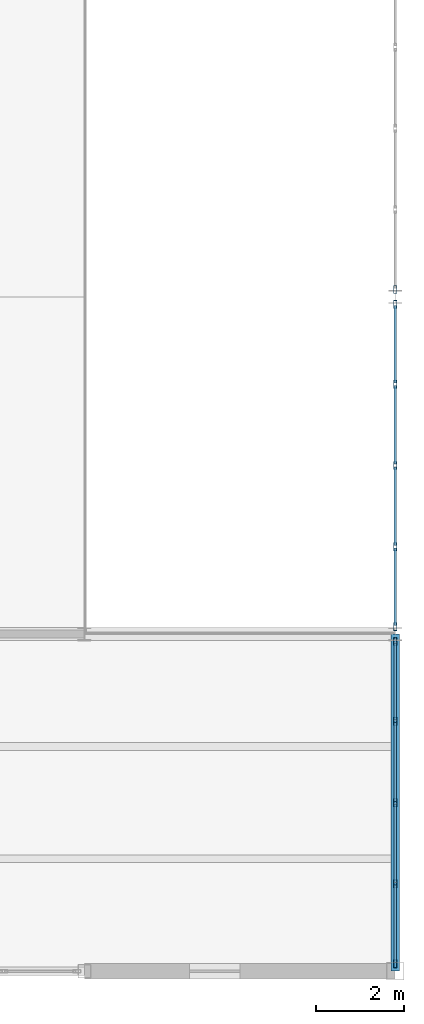
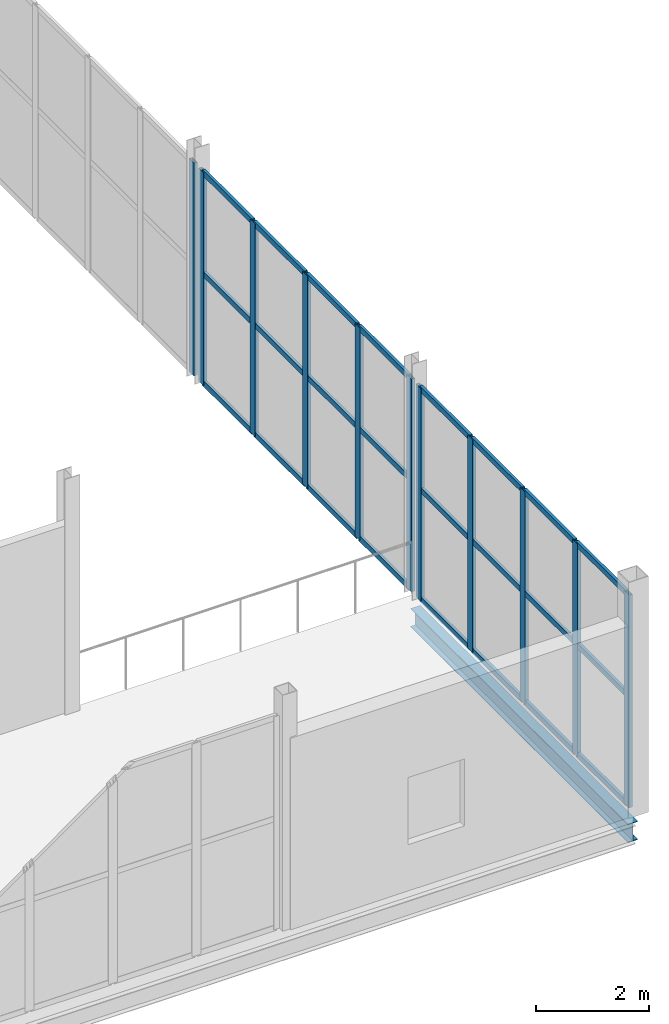
# One storey, part 133 of 218: 35 members, 1 beam, 3 elements without a shape of their own.
"""IFC4 building model written with IfcOpenShell, lengths in metres."""

from ifc_helpers import new_model, si_unit, direction, frame, origin, origin_2d, place, context, subcontext, project, spatial, hollow_rectangle, i_section, extrude, material, material_profile, profile_set, type_object, element, aggregate, save


model = new_model("IFC4")

# Units and contexts
model_context = context("Model", 3, precision=1e-05, world=origin(), true_north=direction((0.0, 1.0)))
body_context = subcontext(model_context, "Body", "Model", "MODEL_VIEW")
ifc_project = project(units=[si_unit("LENGTHUNIT", "METRE"), si_unit("AREAUNIT", "SQUARE_METRE"), si_unit("VOLUMEUNIT", "CUBIC_METRE"), si_unit("PLANEANGLEUNIT", "RADIAN"), si_unit("MASSUNIT", "GRAM", prefix="KILO")], contexts=[model_context])

# Site, building, storey
site_placement = place(None, origin())
site = spatial("IfcSite", under=ifc_project, at=site_placement, CompositionType="ELEMENT")
building_placement = place(site_placement, origin())
building = spatial("IfcBuilding", under=site, at=building_placement, Name="Kazenagashi Tramway Depot", CompositionType="ELEMENT")
storey_placement = place(building_placement, frame((0.0, 0.0, 6.0)))
storey = spatial("IfcBuildingStorey", under=building, at=storey_placement, Name="L02", CompositionType="ELEMENT", Elevation=6.0)

# Curtain wall, members
ifc_material_1 = material(Name="Anodised Aluminium and Low-E Glazing", Category="aluminium")
curtain_wall_type = type_object("IfcCurtainWallType", Name="CW-23", PredefinedType="USERDEFINED", material=ifc_material_1)
curtain_wall_1_placement = place(storey_placement, origin())
curtain_wall_1 = element("IfcCurtainWall", 1, at=curtain_wall_1_placement, inside=storey, type_object=curtain_wall_type, Name="Industrial Glazed Screen CW-23 CW-0125", ObjectType="GLAZED SCREEN", PredefinedType="USERDEFINED")
ifc_material_2 = material(Name="Anodised Aluminium", Category="aluminium")
ifc_material_profile_1 = material_profile(ifc_material_2, hollow_rectangle(XDim=0.07, YDim=0.18, WallThickness=0.005, at=origin_2d()), Name="RHS-180x70x5")
ifc_profile_set_1 = profile_set([ifc_material_profile_1], Name="Anodised Aluminium")
member_type_1 = type_object("IfcMemberType", Name="ML-02", PredefinedType="MULLION", material=ifc_profile_set_1)
member_1_placement = place(storey_placement, frame((196.0, 0.17, 0.0), z_axis=(0.0, 0.0, 1.0), x_axis=(-1.0, 0.0, 0.0)))
member_1 = element("IfcMember", 2, at=member_1_placement, type_object=member_type_1, Name="CW-23 mullion 1", PredefinedType="MULLION", context=body_context, shape_type="SweptSolid", body=[
    extrude(hollow_rectangle(XDim=0.07, YDim=0.18, WallThickness=0.005, at=origin_2d()), origin(), (0.0, 0.0, 1.0), 4.6),
])
member_2_placement = place(storey_placement, frame((196.0, 1.995, 0.0), z_axis=(0.0, 0.0, 1.0), x_axis=(-1.0, 0.0, 0.0)))
member_2 = element("IfcMember", 3, at=member_2_placement, type_object=member_type_1, Name="CW-23 mullion 2", PredefinedType="MULLION", context=body_context, shape_type="SweptSolid", body=[
    extrude(hollow_rectangle(XDim=0.07, YDim=0.18, WallThickness=0.005, at=origin_2d()), origin(), (0.0, 0.0, 1.0), 4.6),
])
member_3_placement = place(storey_placement, frame((196.0, 3.85, 0.0), z_axis=(0.0, 0.0, 1.0), x_axis=(-1.0, 0.0, 0.0)))
member_3 = element("IfcMember", 4, at=member_3_placement, type_object=member_type_1, Name="CW-23 mullion 3", PredefinedType="MULLION", context=body_context, shape_type="SweptSolid", body=[
    extrude(hollow_rectangle(XDim=0.07, YDim=0.18, WallThickness=0.005, at=origin_2d()), origin(), (0.0, 0.0, 1.0), 4.6),
])
member_4_placement = place(storey_placement, frame((196.0, 5.705, 0.0), z_axis=(0.0, 0.0, 1.0), x_axis=(-1.0, 0.0, 0.0)))
member_4 = element("IfcMember", 5, at=member_4_placement, type_object=member_type_1, Name="CW-23 mullion 4", PredefinedType="MULLION", context=body_context, shape_type="SweptSolid", body=[
    extrude(hollow_rectangle(XDim=0.07, YDim=0.18, WallThickness=0.005, at=origin_2d()), origin(), (0.0, 0.0, 1.0), 4.6),
])
member_5_placement = place(storey_placement, frame((196.0, 7.53, 0.0), z_axis=(0.0, 0.0, 1.0), x_axis=(-1.0, 0.0, 0.0)))
member_5 = element("IfcMember", 6, at=member_5_placement, type_object=member_type_1, Name="CW-23 mullion 5", PredefinedType="MULLION", context=body_context, shape_type="SweptSolid", body=[
    extrude(hollow_rectangle(XDim=0.07, YDim=0.18, WallThickness=0.005, at=origin_2d()), origin(), (0.0, 0.0, 1.0), 4.6),
])

curtain_wall_2_placement = place(storey_placement, origin())
curtain_wall_2 = element("IfcCurtainWall", 7, at=curtain_wall_2_placement, inside=storey, type_object=curtain_wall_type, Name="Industrial Glazed Screen CW-23 CW-0126", ObjectType="GLAZED SCREEN", PredefinedType="USERDEFINED")
member_6_placement = place(storey_placement, frame((196.0, 7.87, 0.0), z_axis=(0.0, 0.0, 1.0), x_axis=(-1.0, 0.0, 0.0)))
member_6 = element("IfcMember", 8, at=member_6_placement, type_object=member_type_1, Name="CW-23 mullion 1", PredefinedType="MULLION", context=body_context, shape_type="SweptSolid", body=[
    extrude(hollow_rectangle(XDim=0.07, YDim=0.18, WallThickness=0.005, at=origin_2d()), origin(), (0.0, 0.0, 1.0), 4.6),
])
member_7_placement = place(storey_placement, frame((196.0, 9.695, 0.0), z_axis=(0.0, 0.0, 1.0), x_axis=(-1.0, 0.0, 0.0)))
member_7 = element("IfcMember", 9, at=member_7_placement, type_object=member_type_1, Name="CW-23 mullion 2", PredefinedType="MULLION", context=body_context, shape_type="SweptSolid", body=[
    extrude(hollow_rectangle(XDim=0.07, YDim=0.18, WallThickness=0.005, at=origin_2d()), origin(), (0.0, 0.0, 1.0), 4.6),
])
member_8_placement = place(storey_placement, frame((196.0, 11.55, 0.0), z_axis=(0.0, 0.0, 1.0), x_axis=(-1.0, 0.0, 0.0)))
member_8 = element("IfcMember", 10, at=member_8_placement, type_object=member_type_1, Name="CW-23 mullion 3", PredefinedType="MULLION", context=body_context, shape_type="SweptSolid", body=[
    extrude(hollow_rectangle(XDim=0.07, YDim=0.18, WallThickness=0.005, at=origin_2d()), origin(), (0.0, 0.0, 1.0), 4.6),
])
member_9_placement = place(storey_placement, frame((196.0, 13.405, 0.0), z_axis=(0.0, 0.0, 1.0), x_axis=(-1.0, 0.0, 0.0)))
member_9 = element("IfcMember", 11, at=member_9_placement, type_object=member_type_1, Name="CW-23 mullion 4", PredefinedType="MULLION", context=body_context, shape_type="SweptSolid", body=[
    extrude(hollow_rectangle(XDim=0.07, YDim=0.18, WallThickness=0.005, at=origin_2d()), origin(), (0.0, 0.0, 1.0), 4.6),
])
member_10_placement = place(storey_placement, frame((196.0, 15.23, 0.0), z_axis=(0.0, 0.0, 1.0), x_axis=(-1.0, 0.0, 0.0)))
member_10 = element("IfcMember", 12, at=member_10_placement, type_object=member_type_1, Name="CW-23 mullion 5", PredefinedType="MULLION", context=body_context, shape_type="SweptSolid", body=[
    extrude(hollow_rectangle(XDim=0.07, YDim=0.18, WallThickness=0.005, at=origin_2d()), origin(), (0.0, 0.0, 1.0), 4.6),
])

# Curtain wall, member
curtain_wall_3_placement = place(storey_placement, origin())
curtain_wall_3 = element("IfcCurtainWall", 13, at=curtain_wall_3_placement, inside=storey, type_object=curtain_wall_type, Name="Industrial Glazed Screen CW-23 CW-0127", ObjectType="GLAZED SCREEN", PredefinedType="USERDEFINED")
member_11_placement = place(storey_placement, frame((196.0, 15.57, 0.0), z_axis=(0.0, 0.0, 1.0), x_axis=(-1.0, 0.0, 0.0)))
member_11 = element("IfcMember", 14, at=member_11_placement, type_object=member_type_1, Name="CW-23 mullion 1", PredefinedType="MULLION", context=body_context, shape_type="SweptSolid", body=[
    extrude(hollow_rectangle(XDim=0.07, YDim=0.18, WallThickness=0.005, at=origin_2d()), origin(), (0.0, 0.0, 1.0), 4.6),
])
aggregate(curtain_wall_3, [member_11])

# Beam
ifc_material_3 = material(Name="Steel SN490B", Category="steel")
ifc_material_profile_2 = material_profile(ifc_material_3, i_section(OverallWidth=0.2, OverallDepth=0.4, WebThickness=0.008, FlangeThickness=0.013, at=origin_2d()), Name="H-400x200x8x13")
ifc_profile_set_2 = profile_set([ifc_material_profile_2], Name="Steel SN490B")
beam_type = type_object("IfcBeamType", Name="SP-04", PredefinedType="SPANDREL", material=ifc_profile_set_2)
beam_placement = place(storey_placement, frame((196.0, 0.0, -0.48), z_axis=(0.0, 1.0, 0.0), x_axis=(-1.0, 0.0, 0.0)))
element("IfcBeam", 15, at=beam_placement, inside=storey, type_object=beam_type, Name="Beam SP-04 BM-1351", PredefinedType="SPANDREL", context=body_context, shape_type="SweptSolid", body=[
    extrude(i_section(OverallWidth=0.2, OverallDepth=0.4, WebThickness=0.008, FlangeThickness=0.013, at=origin_2d()), origin(), (0.0, 0.0, 1.0), 7.7),
])

# Member
ifc_material_profile_3 = material_profile(ifc_material_2, hollow_rectangle(XDim=0.06, YDim=0.12, WallThickness=0.004, at=origin_2d()), Name="RHS-120x60x4")
ifc_profile_set_3 = profile_set([ifc_material_profile_3], Name="Anodised Aluminium")
member_type_2 = type_object("IfcMemberType", Name="TR-01", PredefinedType="USERDEFINED", material=ifc_profile_set_3)
member_12_placement = place(storey_placement, frame((196.0, 0.2, 0.03), z_axis=(0.0, 1.0, 0.0), x_axis=(-1.0, 0.0, 0.0)))
member_12 = element("IfcMember", 16, at=member_12_placement, type_object=member_type_2, Name="CW-23 transom 1.1", ObjectType="TRANSOM", PredefinedType="USERDEFINED", context=body_context, shape_type="SweptSolid", body=[
    extrude(hollow_rectangle(XDim=0.06, YDim=0.12, WallThickness=0.004, at=origin_2d()), origin(), (0.0, 0.0, 1.0), 1.765),
])

member_13_placement = place(storey_placement, frame((196.0, 0.2, 2.392), z_axis=(0.0, 1.0, 0.0), x_axis=(-1.0, 0.0, 0.0)))
member_13 = element("IfcMember", 17, at=member_13_placement, type_object=member_type_2, Name="CW-23 transom 1.2", ObjectType="TRANSOM", PredefinedType="USERDEFINED", context=body_context, shape_type="SweptSolid", body=[
    extrude(hollow_rectangle(XDim=0.06, YDim=0.12, WallThickness=0.004, at=origin_2d()), origin(), (0.0, 0.0, 1.0), 1.765),
])

member_14_placement = place(storey_placement, frame((196.0, 0.2, 4.57), z_axis=(0.0, 1.0, 0.0), x_axis=(-1.0, 0.0, 0.0)))
member_14 = element("IfcMember", 18, at=member_14_placement, type_object=member_type_2, Name="CW-23 transom 1.3", ObjectType="TRANSOM", PredefinedType="USERDEFINED", context=body_context, shape_type="SweptSolid", body=[
    extrude(hollow_rectangle(XDim=0.06, YDim=0.12, WallThickness=0.004, at=origin_2d()), origin(), (0.0, 0.0, 1.0), 1.765),
])

member_15_placement = place(storey_placement, frame((196.0, 2.025, 0.03), z_axis=(0.0, 1.0, 0.0), x_axis=(-1.0, 0.0, 0.0)))
member_15 = element("IfcMember", 19, at=member_15_placement, type_object=member_type_2, Name="CW-23 transom 2.1", ObjectType="TRANSOM", PredefinedType="USERDEFINED", context=body_context, shape_type="SweptSolid", body=[
    extrude(hollow_rectangle(XDim=0.06, YDim=0.12, WallThickness=0.004, at=origin_2d()), origin(), (0.0, 0.0, 1.0), 1.795),
])

member_16_placement = place(storey_placement, frame((196.0, 2.025, 2.392), z_axis=(0.0, 1.0, 0.0), x_axis=(-1.0, 0.0, 0.0)))
member_16 = element("IfcMember", 20, at=member_16_placement, type_object=member_type_2, Name="CW-23 transom 2.2", ObjectType="TRANSOM", PredefinedType="USERDEFINED", context=body_context, shape_type="SweptSolid", body=[
    extrude(hollow_rectangle(XDim=0.06, YDim=0.12, WallThickness=0.004, at=origin_2d()), origin(), (0.0, 0.0, 1.0), 1.795),
])

member_17_placement = place(storey_placement, frame((196.0, 2.025, 4.57), z_axis=(0.0, 1.0, 0.0), x_axis=(-1.0, 0.0, 0.0)))
member_17 = element("IfcMember", 21, at=member_17_placement, type_object=member_type_2, Name="CW-23 transom 2.3", ObjectType="TRANSOM", PredefinedType="USERDEFINED", context=body_context, shape_type="SweptSolid", body=[
    extrude(hollow_rectangle(XDim=0.06, YDim=0.12, WallThickness=0.004, at=origin_2d()), origin(), (0.0, 0.0, 1.0), 1.795),
])

member_18_placement = place(storey_placement, frame((196.0, 3.88, 0.03), z_axis=(0.0, 1.0, 0.0), x_axis=(-1.0, 0.0, 0.0)))
member_18 = element("IfcMember", 22, at=member_18_placement, type_object=member_type_2, Name="CW-23 transom 3.1", ObjectType="TRANSOM", PredefinedType="USERDEFINED", context=body_context, shape_type="SweptSolid", body=[
    extrude(hollow_rectangle(XDim=0.06, YDim=0.12, WallThickness=0.004, at=origin_2d()), origin(), (0.0, 0.0, 1.0), 1.795),
])

member_19_placement = place(storey_placement, frame((196.0, 3.88, 2.392), z_axis=(0.0, 1.0, 0.0), x_axis=(-1.0, 0.0, 0.0)))
member_19 = element("IfcMember", 23, at=member_19_placement, type_object=member_type_2, Name="CW-23 transom 3.2", ObjectType="TRANSOM", PredefinedType="USERDEFINED", context=body_context, shape_type="SweptSolid", body=[
    extrude(hollow_rectangle(XDim=0.06, YDim=0.12, WallThickness=0.004, at=origin_2d()), origin(), (0.0, 0.0, 1.0), 1.795),
])

member_20_placement = place(storey_placement, frame((196.0, 3.88, 4.57), z_axis=(0.0, 1.0, 0.0), x_axis=(-1.0, 0.0, 0.0)))
member_20 = element("IfcMember", 24, at=member_20_placement, type_object=member_type_2, Name="CW-23 transom 3.3", ObjectType="TRANSOM", PredefinedType="USERDEFINED", context=body_context, shape_type="SweptSolid", body=[
    extrude(hollow_rectangle(XDim=0.06, YDim=0.12, WallThickness=0.004, at=origin_2d()), origin(), (0.0, 0.0, 1.0), 1.795),
])

member_21_placement = place(storey_placement, frame((196.0, 5.735, 0.03), z_axis=(0.0, 1.0, 0.0), x_axis=(-1.0, 0.0, 0.0)))
member_21 = element("IfcMember", 25, at=member_21_placement, type_object=member_type_2, Name="CW-23 transom 4.1", ObjectType="TRANSOM", PredefinedType="USERDEFINED", context=body_context, shape_type="SweptSolid", body=[
    extrude(hollow_rectangle(XDim=0.06, YDim=0.12, WallThickness=0.004, at=origin_2d()), origin(), (0.0, 0.0, 1.0), 1.765),
])

member_22_placement = place(storey_placement, frame((196.0, 5.735, 2.392), z_axis=(0.0, 1.0, 0.0), x_axis=(-1.0, 0.0, 0.0)))
member_22 = element("IfcMember", 26, at=member_22_placement, type_object=member_type_2, Name="CW-23 transom 4.2", ObjectType="TRANSOM", PredefinedType="USERDEFINED", context=body_context, shape_type="SweptSolid", body=[
    extrude(hollow_rectangle(XDim=0.06, YDim=0.12, WallThickness=0.004, at=origin_2d()), origin(), (0.0, 0.0, 1.0), 1.765),
])

member_23_placement = place(storey_placement, frame((196.0, 5.735, 4.57), z_axis=(0.0, 1.0, 0.0), x_axis=(-1.0, 0.0, 0.0)))
member_23 = element("IfcMember", 27, at=member_23_placement, type_object=member_type_2, Name="CW-23 transom 4.3", ObjectType="TRANSOM", PredefinedType="USERDEFINED", context=body_context, shape_type="SweptSolid", body=[
    extrude(hollow_rectangle(XDim=0.06, YDim=0.12, WallThickness=0.004, at=origin_2d()), origin(), (0.0, 0.0, 1.0), 1.765),
])

aggregate(curtain_wall_1, [member_1, member_2, member_3, member_4, member_5, member_12, member_13, member_14, member_15, member_16, member_17, member_18, member_19, member_20, member_21, member_22, member_23])

member_24_placement = place(storey_placement, frame((196.0, 7.9, 0.03), z_axis=(0.0, 1.0, 0.0), x_axis=(-1.0, 0.0, 0.0)))
member_24 = element("IfcMember", 28, at=member_24_placement, type_object=member_type_2, Name="CW-23 transom 1.1", ObjectType="TRANSOM", PredefinedType="USERDEFINED", context=body_context, shape_type="SweptSolid", body=[
    extrude(hollow_rectangle(XDim=0.06, YDim=0.12, WallThickness=0.004, at=origin_2d()), origin(), (0.0, 0.0, 1.0), 1.765),
])

member_25_placement = place(storey_placement, frame((196.0, 7.9, 2.392), z_axis=(0.0, 1.0, 0.0), x_axis=(-1.0, 0.0, 0.0)))
member_25 = element("IfcMember", 29, at=member_25_placement, type_object=member_type_2, Name="CW-23 transom 1.2", ObjectType="TRANSOM", PredefinedType="USERDEFINED", context=body_context, shape_type="SweptSolid", body=[
    extrude(hollow_rectangle(XDim=0.06, YDim=0.12, WallThickness=0.004, at=origin_2d()), origin(), (0.0, 0.0, 1.0), 1.765),
])

member_26_placement = place(storey_placement, frame((196.0, 7.9, 4.57), z_axis=(0.0, 1.0, 0.0), x_axis=(-1.0, 0.0, 0.0)))
member_26 = element("IfcMember", 30, at=member_26_placement, type_object=member_type_2, Name="CW-23 transom 1.3", ObjectType="TRANSOM", PredefinedType="USERDEFINED", context=body_context, shape_type="SweptSolid", body=[
    extrude(hollow_rectangle(XDim=0.06, YDim=0.12, WallThickness=0.004, at=origin_2d()), origin(), (0.0, 0.0, 1.0), 1.765),
])

member_27_placement = place(storey_placement, frame((196.0, 9.725, 0.03), z_axis=(0.0, 1.0, 0.0), x_axis=(-1.0, 0.0, 0.0)))
member_27 = element("IfcMember", 31, at=member_27_placement, type_object=member_type_2, Name="CW-23 transom 2.1", ObjectType="TRANSOM", PredefinedType="USERDEFINED", context=body_context, shape_type="SweptSolid", body=[
    extrude(hollow_rectangle(XDim=0.06, YDim=0.12, WallThickness=0.004, at=origin_2d()), origin(), (0.0, 0.0, 1.0), 1.795),
])

member_28_placement = place(storey_placement, frame((196.0, 9.725, 2.392), z_axis=(0.0, 1.0, 0.0), x_axis=(-1.0, 0.0, 0.0)))
member_28 = element("IfcMember", 32, at=member_28_placement, type_object=member_type_2, Name="CW-23 transom 2.2", ObjectType="TRANSOM", PredefinedType="USERDEFINED", context=body_context, shape_type="SweptSolid", body=[
    extrude(hollow_rectangle(XDim=0.06, YDim=0.12, WallThickness=0.004, at=origin_2d()), origin(), (0.0, 0.0, 1.0), 1.795),
])

member_29_placement = place(storey_placement, frame((196.0, 9.725, 4.57), z_axis=(0.0, 1.0, 0.0), x_axis=(-1.0, 0.0, 0.0)))
member_29 = element("IfcMember", 33, at=member_29_placement, type_object=member_type_2, Name="CW-23 transom 2.3", ObjectType="TRANSOM", PredefinedType="USERDEFINED", context=body_context, shape_type="SweptSolid", body=[
    extrude(hollow_rectangle(XDim=0.06, YDim=0.12, WallThickness=0.004, at=origin_2d()), origin(), (0.0, 0.0, 1.0), 1.795),
])

member_30_placement = place(storey_placement, frame((196.0, 11.58, 0.03), z_axis=(0.0, 1.0, 0.0), x_axis=(-1.0, 0.0, 0.0)))
member_30 = element("IfcMember", 34, at=member_30_placement, type_object=member_type_2, Name="CW-23 transom 3.1", ObjectType="TRANSOM", PredefinedType="USERDEFINED", context=body_context, shape_type="SweptSolid", body=[
    extrude(hollow_rectangle(XDim=0.06, YDim=0.12, WallThickness=0.004, at=origin_2d()), origin(), (0.0, 0.0, 1.0), 1.795),
])

member_31_placement = place(storey_placement, frame((196.0, 11.58, 2.392), z_axis=(0.0, 1.0, 0.0), x_axis=(-1.0, 0.0, 0.0)))
member_31 = element("IfcMember", 35, at=member_31_placement, type_object=member_type_2, Name="CW-23 transom 3.2", ObjectType="TRANSOM", PredefinedType="USERDEFINED", context=body_context, shape_type="SweptSolid", body=[
    extrude(hollow_rectangle(XDim=0.06, YDim=0.12, WallThickness=0.004, at=origin_2d()), origin(), (0.0, 0.0, 1.0), 1.795),
])

member_32_placement = place(storey_placement, frame((196.0, 11.58, 4.57), z_axis=(0.0, 1.0, 0.0), x_axis=(-1.0, 0.0, 0.0)))
member_32 = element("IfcMember", 36, at=member_32_placement, type_object=member_type_2, Name="CW-23 transom 3.3", ObjectType="TRANSOM", PredefinedType="USERDEFINED", context=body_context, shape_type="SweptSolid", body=[
    extrude(hollow_rectangle(XDim=0.06, YDim=0.12, WallThickness=0.004, at=origin_2d()), origin(), (0.0, 0.0, 1.0), 1.795),
])

member_33_placement = place(storey_placement, frame((196.0, 13.435, 0.03), z_axis=(0.0, 1.0, 0.0), x_axis=(-1.0, 0.0, 0.0)))
member_33 = element("IfcMember", 37, at=member_33_placement, type_object=member_type_2, Name="CW-23 transom 4.1", ObjectType="TRANSOM", PredefinedType="USERDEFINED", context=body_context, shape_type="SweptSolid", body=[
    extrude(hollow_rectangle(XDim=0.06, YDim=0.12, WallThickness=0.004, at=origin_2d()), origin(), (0.0, 0.0, 1.0), 1.765),
])

member_34_placement = place(storey_placement, frame((196.0, 13.435, 2.392), z_axis=(0.0, 1.0, 0.0), x_axis=(-1.0, 0.0, 0.0)))
member_34 = element("IfcMember", 38, at=member_34_placement, type_object=member_type_2, Name="CW-23 transom 4.2", ObjectType="TRANSOM", PredefinedType="USERDEFINED", context=body_context, shape_type="SweptSolid", body=[
    extrude(hollow_rectangle(XDim=0.06, YDim=0.12, WallThickness=0.004, at=origin_2d()), origin(), (0.0, 0.0, 1.0), 1.765),
])

member_35_placement = place(storey_placement, frame((196.0, 13.435, 4.57), z_axis=(0.0, 1.0, 0.0), x_axis=(-1.0, 0.0, 0.0)))
member_35 = element("IfcMember", 39, at=member_35_placement, type_object=member_type_2, Name="CW-23 transom 4.3", ObjectType="TRANSOM", PredefinedType="USERDEFINED", context=body_context, shape_type="SweptSolid", body=[
    extrude(hollow_rectangle(XDim=0.06, YDim=0.12, WallThickness=0.004, at=origin_2d()), origin(), (0.0, 0.0, 1.0), 1.765),
])

aggregate(curtain_wall_2, [member_6, member_7, member_8, member_9, member_10, member_24, member_25, member_26, member_27, member_28, member_29, member_30, member_31, member_32, member_33, member_34, member_35])

save(model, "model.ifc")
